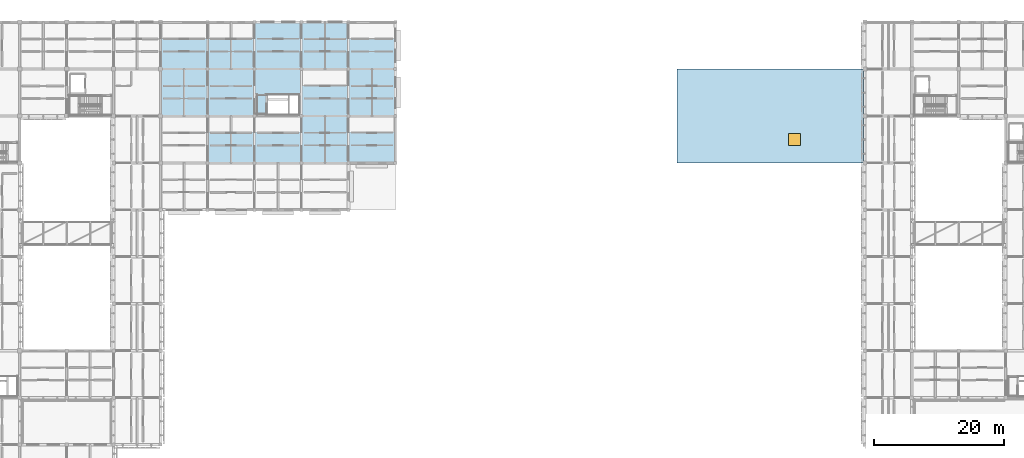
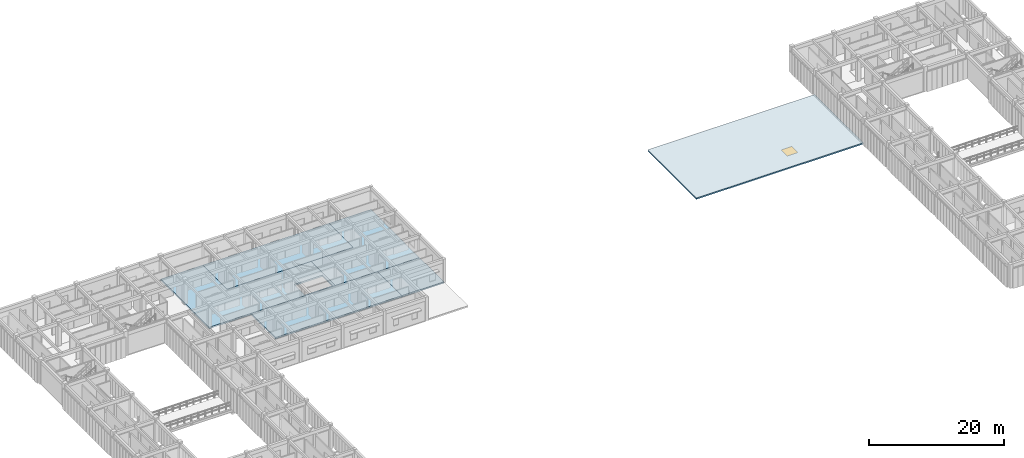
# One storey, part 54 of 91: 6 slabs, 1 window, 1 opening.
"""IFC4 building model written with IfcOpenShell, lengths in metres."""

from ifc_helpers import new_model, si_unit, direction, frame, origin, origin_2d, place, context, subcontext, project, spatial, polyline, rectangle, outline, extrude, material, layer, layer_set, type_object, element, fill, save


model = new_model("IFC4")

# Units and contexts
model_context = context("Model", 3, precision=1e-05, world=origin(), true_north=direction((0.0, 1.0)))
body_context = subcontext(model_context, "Body", "Model", "MODEL_VIEW")
ifc_project = project(units=[si_unit("LENGTHUNIT", "METRE"), si_unit("AREAUNIT", "SQUARE_METRE"), si_unit("VOLUMEUNIT", "CUBIC_METRE"), si_unit("PLANEANGLEUNIT", "RADIAN"), si_unit("MASSUNIT", "GRAM", prefix="KILO")], contexts=[model_context])

# Site, building, storey
site_placement = place(None, origin())
site = spatial("IfcSite", under=ifc_project, at=site_placement, CompositionType="ELEMENT")
building_placement = place(site_placement, origin())
building = spatial("IfcBuilding", under=site, at=building_placement, Name="Aldebral Square Health Centre", CompositionType="ELEMENT")
storey_placement = place(building_placement, frame((0.0, 0.0, 9.0)))
storey = spatial("IfcBuildingStorey", under=building, at=storey_placement, Name="L02", CompositionType="ELEMENT", Elevation=9.0)

# Slabs
ifc_material_1 = material(Name="Concrete C35/45", Category="concrete")
ifc_layer_1 = layer(ifc_material_1, 0.280029296875, Name="Concrete C35/45", Category="concrete")
ifc_layer_set_1 = layer_set([ifc_layer_1], Name="Concrete C35/45")
slab_type_1 = type_object("IfcSlabType", Name="SL-FLR-280", PredefinedType="FLOOR", material=ifc_layer_set_1)
slab_1_placement = place(storey_placement, frame((0.0, 0.0, -0.280029296875)))
element("IfcSlab", 1, at=slab_1_placement, inside=storey, type_object=slab_type_1, Name="L02 V2 floor slab 2", PredefinedType="FLOOR", context=body_context, shape_type="SweptSolid", body=[
    extrude(outline(polyline([(28.800048828125, 115.199951171875), (36.0, 115.199951171875), (36.0, 108.0), (43.199951171875, 108.0), (50.39990234375, 108.0), (50.39990234375, 100.800048828125), (43.199951171875, 100.800048828125), (36.0, 100.800048828125), (28.800048828125, 100.800048828125), (28.800048828125, 108.0), (28.800048828125, 115.199951171875)]), holes=[polyline([(50.06005859375, 104.080078125), (45.219970703125, 104.080078125), (45.219970703125, 101.0), (50.06005859375, 101.0), (50.06005859375, 104.080078125)])]), origin(), (0.0, 0.0, 1.0), 0.280029296875),
])
slab_2_placement = place(storey_placement, frame((0.0, 0.0, -0.280029296875)))
element("IfcSlab", 2, at=slab_2_placement, inside=storey, type_object=slab_type_1, Name="L02 V2 floor slab 3", PredefinedType="FLOOR", context=body_context, shape_type="SweptSolid", body=[
    extrude(outline(polyline([(36.0, 100.800048828125), (43.199951171875, 100.800048828125), (50.39990234375, 100.800048828125), (57.60009765625, 100.800048828125), (57.60009765625, 93.60009765625), (50.39990234375, 93.60009765625), (43.199951171875, 93.60009765625), (36.0, 93.60009765625), (36.0, 100.800048828125)])), origin(), (0.0, 0.0, 1.0), 0.280029296875),
])
slab_3_placement = place(storey_placement, frame((0.0, 0.0, -0.280029296875)))
element("IfcSlab", 3, at=slab_3_placement, inside=storey, type_object=slab_type_1, Name="L02 V2 floor slab 4", PredefinedType="FLOOR", context=body_context, shape_type="SweptSolid", body=[
    extrude(outline(polyline([(36.0, 115.199951171875), (43.199951171875, 115.199951171875), (50.39990234375, 115.199951171875), (57.60009765625, 115.199951171875), (57.60009765625, 108.0), (50.39990234375, 108.0), (43.199951171875, 108.0), (36.0, 108.0), (36.0, 115.199951171875)])), origin(), (0.0, 0.0, 1.0), 0.280029296875),
])
slab_4_placement = place(storey_placement, frame((0.0, 0.0, -0.280029296875)))
element("IfcSlab", 4, at=slab_4_placement, inside=storey, type_object=slab_type_1, Name="L02 V2 floor slab 6", PredefinedType="FLOOR", context=body_context, shape_type="SweptSolid", body=[
    extrude(outline(polyline([(50.39990234375, 108.0), (57.60009765625, 108.0), (57.60009765625, 115.199951171875), (64.800048828125, 115.199951171875), (64.800048828125, 108.0), (64.800048828125, 100.800048828125), (57.60009765625, 100.800048828125), (50.39990234375, 100.800048828125), (50.39990234375, 108.0)])), origin(), (0.0, 0.0, 1.0), 0.280029296875),
])
slab_5_placement = place(storey_placement, frame((0.0, 0.0, -0.280029296875)))
element("IfcSlab", 5, at=slab_5_placement, inside=storey, type_object=slab_type_1, Name="L02 V2 floor slab 7", PredefinedType="FLOOR", context=body_context, shape_type="SweptSolid", body=[
    extrude(outline(polyline([(57.60009765625, 93.60009765625), (57.60009765625, 100.800048828125), (64.800048828125, 100.800048828125), (64.800048828125, 93.60009765625), (57.60009765625, 93.60009765625)])), origin(), (0.0, 0.0, 1.0), 0.280029296875),
])

# Slab, opening, window
ifc_layer_2 = layer(ifc_material_1, 0.239990234375, Name="Concrete C35/45", Category="concrete")
ifc_layer_set_2 = layer_set([ifc_layer_2], Name="Concrete C35/45")
slab_type_2 = type_object("IfcSlabType", Name="SL-RF-240", PredefinedType="ROOF", material=ifc_layer_set_2)
slab_6_placement = place(storey_placement, frame((0.0, 0.0, -0.239990234375)))
slab_6 = element("IfcSlab", 6, at=slab_6_placement, inside=storey, type_object=slab_type_2, Name="L01 V5 roof slab 1", PredefinedType="ROOF", context=body_context, shape_type="SweptSolid", body=[
    extrude(outline(polyline([(115.199951171875, 108.0), (122.39990234375, 108.0), (129.60009765625, 108.0), (136.580078125, 108.0), (136.580078125, 93.60009765625), (129.60009765625, 93.60009765625), (122.39990234375, 93.60009765625), (115.199951171875, 93.60009765625), (108.0, 93.60009765625), (108.0, 100.800048828125), (108.0, 108.0), (115.199951171875, 108.0)])), origin(), (0.0, 0.0, 1.0), 0.239990234375),
])
opening_placement = place(slab_6_placement, frame((126.0, 97.199951171875, -0.010009765625)))
opening = element("IfcOpeningElement", 7, at=opening_placement, cuts=slab_6, Name="Opening SK01", PredefinedType="OPENING", context=body_context, shape_type="SweptSolid", body=[
    extrude(rectangle(XDim=1.800048828125, YDim=1.800048828125, at=origin_2d()), origin(), (0.0, 0.0, 1.0), 0.260009765625),
])
ifc_material_2 = material(Name="Thermally broken skylight double glazing", Category="glass")
window_type = type_object("IfcWindowType", Name="SKY-S01", PartitioningType="SINGLE_PANEL", PredefinedType="SKYLIGHT", material=ifc_material_2)
window_placement = place(slab_6_placement, frame((126.0, 97.199951171875, 0.18994140625)))
window = element("IfcWindow", 8, at=window_placement, inside=storey, type_object=window_type, Name="Clinical roof skylight SK-01", OverallHeight=1.800048828125, OverallWidth=1.800048828125, PartitioningType="SINGLE_PANEL", PredefinedType="SKYLIGHT", context=body_context, shape_type="SweptSolid", body=[
    extrude(rectangle(XDim=1.800048828125, YDim=1.800048828125, at=origin_2d()), origin(), (0.0, 0.0, 1.0), 0.050048828125),
])
fill(opening, window)

save(model, "model.ifc")
